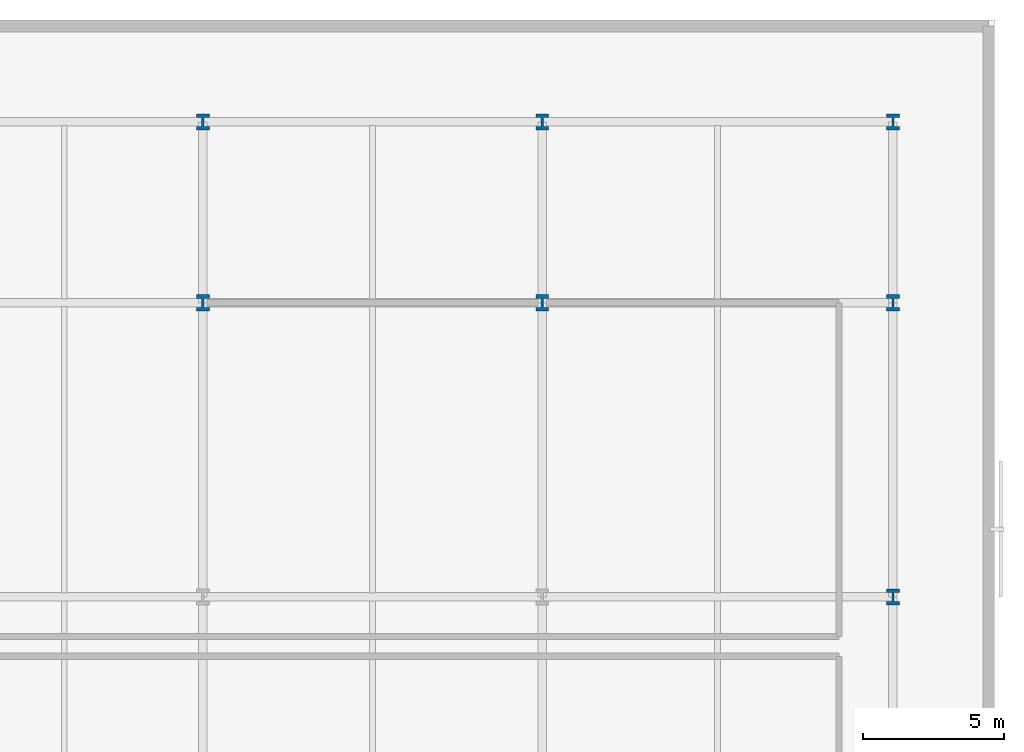
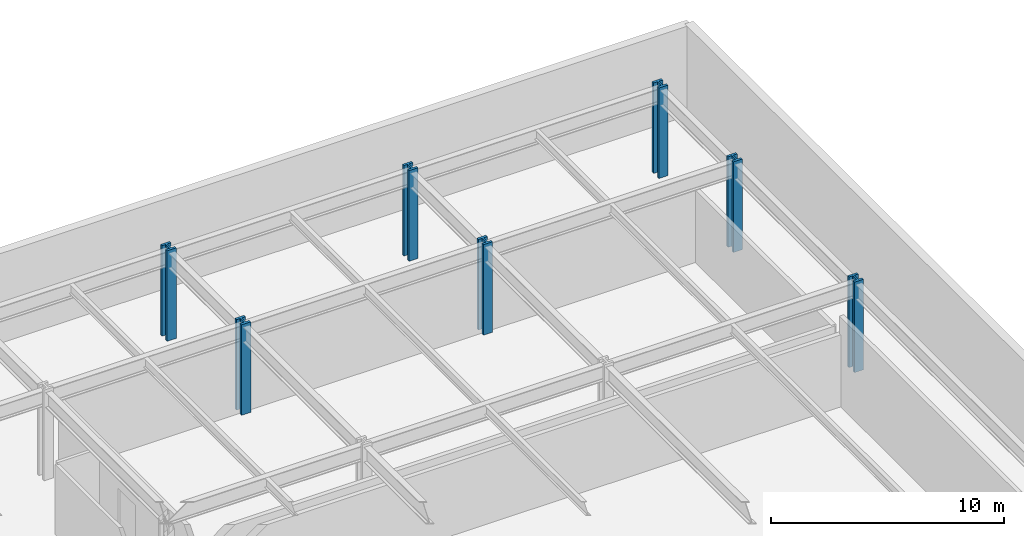
# One storey, part 4 of 40: 7 columns.
"""IFC4 building model written with IfcOpenShell, lengths in metres."""

import ifcopenshell
import ifcopenshell.guid

model = None  # the IFC model being written
_history = None  # IfcOwnerHistory: only IFC2X3 demands one
_inside = {}  # id of a spatial element -> (the spatial element, [elements in it])
_under = {}  # id of a project, library or spatial element -> (it, [spatial elements below it])
_declared = {}  # id of a project -> (the project, [libraries it declares])
_typed = {}  # id of a type object -> (the type object, [elements of that type])
_made_of = {}  # id of a material, layer set ... -> (it, [elements and type objects made of it])


def new_model(schema):
    """Start an empty IFC model of exactly this schema.

    Asked for "IFC4X3", IfcOpenShell would pick the latest addendum, in which some entities
    have other attributes; the version numbers below select the first issue.
    IFC2X3 requires an IfcOwnerHistory on every rooted entity: one is made here for all.
    """
    global model, _history
    if schema == "IFC4X3":
        model = ifcopenshell.file(schema_version=(4, 3, 0, 0))
    else:
        model = ifcopenshell.file(schema=schema)
    _inside.clear()
    _under.clear()
    _declared.clear()
    _typed.clear()
    _made_of.clear()
    _history = None
    if model.schema == "IFC2X3":
        org = make("IfcOrganization", Name="unknown")
        user = make(
            "IfcPersonAndOrganization",
            ThePerson=make("IfcPerson", FamilyName="unknown"),
            TheOrganization=org,
        )
        app = make(
            "IfcApplication",
            ApplicationDeveloper=org,
            Version="unknown",
            ApplicationFullName="unknown",
            ApplicationIdentifier="unknown",
        )
        _history = make(
            "IfcOwnerHistory",
            OwningUser=user,
            OwningApplication=app,
            ChangeAction="ADDED",
            CreationDate=0,
        )
    return model


def make(cls, **values):
    """One entity of the class cls with the attributes given. An attribute that is None is left unset."""
    return model.create_entity(
        cls, **{name: value for name, value in values.items() if value is not None}
    )


def rooted(cls, **values):
    """An entity with a GlobalId (a new one), such as an element, a storey or a relation."""
    return make(cls, GlobalId=ifcopenshell.guid.new(), OwnerHistory=_history, **values)


def si_unit(unit_type, name, prefix=None):
    """IfcSIUnit, for example si_unit("LENGTHUNIT", "METRE", prefix="MILLI")."""
    return make("IfcSIUnit", UnitType=unit_type, Prefix=prefix, Name=name)


def assignment(units):
    """IfcUnitAssignment: the units of a project."""
    return None if units is None else make("IfcUnitAssignment", Units=units)


def point(xyz):
    """IfcCartesianPoint."""
    return None if xyz is None else make("IfcCartesianPoint", Coordinates=xyz)


def direction(xyz):
    """IfcDirection."""
    return None if xyz is None else make("IfcDirection", DirectionRatios=xyz)


def frame(location, z_axis=None, x_axis=None):
    """IfcAxis2Placement3D, a coordinate frame: its origin and axes. An axis left out is left unset."""
    return make(
        "IfcAxis2Placement3D",
        Location=point(location),
        Axis=direction(z_axis),
        RefDirection=direction(x_axis),
    )


def frame_2d(location, x_axis=None):
    """IfcAxis2Placement2D, a coordinate frame in the plane: its origin and x axis."""
    return make(
        "IfcAxis2Placement2D", Location=point(location), RefDirection=direction(x_axis)
    )


def origin():
    """The frame at (0, 0, 0) with its axes left unset."""
    return frame((0.0, 0.0, 0.0))


def origin_2d():
    """The frame at (0, 0) in the plane with its x axis left unset."""
    return frame_2d((0.0, 0.0))


def place(relative_to, where):
    """IfcLocalPlacement: puts the frame where relative to a parent placement (None: the world)."""
    return make(
        "IfcLocalPlacement", PlacementRelTo=relative_to, RelativePlacement=where
    )


def context(
    kind, dimensions, precision=None, world=None, true_north=None, identifier=None
):
    """IfcGeometricRepresentationContext, for example the 3D "Model" context."""
    return make(
        "IfcGeometricRepresentationContext",
        ContextIdentifier=identifier,
        ContextType=kind,
        CoordinateSpaceDimension=dimensions,
        Precision=precision,
        WorldCoordinateSystem=world,
        TrueNorth=true_north,
    )


def subcontext(parent, identifier, kind, view, scale=None):
    """IfcGeometricRepresentationSubContext, for example "Body" below "Model"."""
    return make(
        "IfcGeometricRepresentationSubContext",
        ContextIdentifier=identifier,
        ContextType=kind,
        ParentContext=parent,
        TargetScale=scale,
        TargetView=view,
    )


def project(units=None, contexts=None):
    """IfcProject with its units and contexts."""
    return rooted(
        "IfcProject",
        Name="project",
        RepresentationContexts=contexts,
        UnitsInContext=assignment(units),
    )


def spatial(cls, under=None, at=None, **own):
    """A site, building, storey or space (cls), placed at a placement, below another one or the project."""
    s = rooted(cls, ObjectPlacement=at, **own)
    if under is not None:
        _under.setdefault(under.id(), (under, []))[1].append(s)
    return s


def profile(cls, at=None, kind="AREA", **sizes):
    """A parametric profile (cls). Its sizes go by their IFC names, for example OverallWidth=200.0."""
    return make(cls, ProfileType=kind, Position=at, **sizes)


def i_section(**sizes):
    """IfcIShapeProfileDef."""
    return profile("IfcIShapeProfileDef", **sizes)


def extrude(swept, where, along, depth):
    """IfcExtrudedAreaSolid: the profile swept, set in the frame where, extruded along a direction by depth."""
    return make(
        "IfcExtrudedAreaSolid",
        SweptArea=swept,
        Position=where,
        ExtrudedDirection=direction(along),
        Depth=depth,
    )


def shape(context_of_items, identifier, shape_type, items):
    """IfcShapeRepresentation: the items that make up one representation, for example the "Body"."""
    return make(
        "IfcShapeRepresentation",
        ContextOfItems=context_of_items,
        RepresentationIdentifier=identifier,
        RepresentationType=shape_type,
        Items=items,
    )


def material(Name=None, Category=None):
    """IfcMaterial."""
    return make("IfcMaterial", Name=Name, Category=Category)


def material_profile(
    of_material, cross_section, Name=None, Category=None, Priority=None
):
    """IfcMaterialProfile: a cross section and its material."""
    return make(
        "IfcMaterialProfile",
        Name=Name,
        Material=of_material,
        Profile=cross_section,
        Priority=Priority,
        Category=Category,
    )


def profile_set(profiles, Name=None, composite=None):
    """IfcMaterialProfileSet."""
    return make(
        "IfcMaterialProfileSet",
        Name=Name,
        MaterialProfiles=profiles,
        CompositeProfile=composite,
    )


def made_of(thing, what):
    """Note that an element or type object is made of a material, layer set ...; save() writes the relation."""
    if what is not None:
        _made_of.setdefault(what.id(), (what, []))[1].append(thing)
    return thing


def type_object(cls, material=None, **own):
    """A type object (cls), such as IfcWallType, which elements share."""
    return made_of(rooted(cls, **own), material)


def element(
    cls,
    number,
    at=None,
    inside=None,
    cuts=None,
    type_object=None,
    material=None,
    context=None,
    identifier="Body",
    shape_type=None,
    held_by="IfcProductDefinitionShape",
    body=None,
    shapes=None,
    **own,
):
    """One element of the class cls, such as IfcWall. Its Tag is "e" and its number.

    at: its placement. inside: the storey or other place that contains it. cuts: it is an
    opening in that element (IfcRelVoidsElement). A single representation is given by context,
    identifier, shape_type and body (its items); several are given by shapes. held_by: the class
    of the entity that holds the representations. save() writes the other relations.
    """
    e = rooted(cls, Tag="e%d" % number, ObjectPlacement=at, **own)
    if body is not None:
        shapes = [shape(context, identifier, shape_type, body)]
    if shapes is not None:
        e.Representation = make(held_by, Representations=shapes)
    if inside is not None:
        _inside.setdefault(inside.id(), (inside, []))[1].append(e)
    if cuts is not None:
        rooted(
            "IfcRelVoidsElement", RelatingBuildingElement=cuts, RelatedOpeningElement=e
        )
    if type_object is not None:
        _typed.setdefault(type_object.id(), (type_object, []))[1].append(e)
    return made_of(e, material)


def aggregate(whole, parts):
    """IfcRelAggregates: a whole, such as a stair, and the parts it consists of."""
    return rooted("IfcRelAggregates", RelatingObject=whole, RelatedObjects=parts)


def save(model, path):
    """Write the relations noted so far, then the file.

    IfcRelAggregates (storeys below a building ...), IfcRelContainedInSpatialStructure (elements
    in a storey), IfcRelDefinesByType, IfcRelAssociatesMaterial and IfcRelDeclares: one each for
    every whole, place, type object, material and project.
    """
    for whole, parts in _under.values():
        aggregate(whole, parts)
    for where, things in _inside.values():
        rooted(
            "IfcRelContainedInSpatialStructure",
            RelatedElements=things,
            RelatingStructure=where,
        )
    for kind, things in _typed.values():
        rooted("IfcRelDefinesByType", RelatedObjects=things, RelatingType=kind)
    for what, things in _made_of.values():
        rooted("IfcRelAssociatesMaterial", RelatedObjects=things, RelatingMaterial=what)
    for by, libraries in _declared.values():
        rooted("IfcRelDeclares", RelatingContext=by, RelatedDefinitions=libraries)
    model.write(path)


model = new_model("IFC4")

# Units and contexts
model_context = context("Model", 3, precision=1e-05, world=origin(), true_north=direction((0.0, 1.0)))
body_context = subcontext(model_context, "Body", "Model", "MODEL_VIEW")
ifc_project = project(units=[si_unit("LENGTHUNIT", "METRE"), si_unit("AREAUNIT", "SQUARE_METRE"), si_unit("VOLUMEUNIT", "CUBIC_METRE"), si_unit("PLANEANGLEUNIT", "RADIAN"), si_unit("MASSUNIT", "GRAM", prefix="KILO")], contexts=[model_context])

# Site, building, storey
site_placement = place(None, origin())
site = spatial("IfcSite", under=ifc_project, at=site_placement, CompositionType="ELEMENT")
building_placement = place(site_placement, origin())
building = spatial("IfcBuilding", under=site, at=building_placement, Name="Narakoshi Arena Tower", CompositionType="ELEMENT")
storey_placement = place(building_placement, frame((0.0, 0.0, 21.60009765625)))
storey = spatial("IfcBuildingStorey", under=building, at=storey_placement, Name="L05", CompositionType="ELEMENT", Elevation=21.60009765625)

# Columns
ifc_material = material(Name="Structural steel S355J2", Category="steel")
ifc_material_profile = material_profile(ifc_material, i_section(OverallWidth=0.4541015625, OverallDepth=0.569091796875, WebThickness=0.077880859375, FlangeThickness=0.125, FilletRadius=0.014892578125, at=origin_2d()), Name="HD400x1086")
ifc_profile_set = profile_set([ifc_material_profile], Name="Structural steel S355J2")
column_type = type_object("IfcColumnType", Name="COL-STL1086", PredefinedType="COLUMN", material=ifc_profile_set)
for number, where, z_axis, x_axis, name in (
    (1, (98.0, 86.0, 0.0), (0.0, 0.0, 1.0), (1.0, 0.0, 0.0), "L05 Podium Column PC58"),
    (2, (98.0, 92.39990234375, 0.0), (0.0, 0.0, 1.0), (1.0, 0.0, 0.0), "L05 Podium Column PC59"),
    (3, (110.0, 86.0, 0.0), (0.0, 0.0, 1.0), (1.0, 0.0, 0.0), "L05 Podium Column PC67"),
    (4, (110.0, 92.39990234375, 0.0), (0.0, 0.0, 1.0), (1.0, 0.0, 0.0), "L05 Podium Column PC68"),
    (5, (122.39990234375, 75.60009765625, 0.0), (0.0, 0.0, 1.0), (1.0, 0.0, 0.0), "L05 Podium Column PC75"),
    (6, (122.39990234375, 86.0, 0.0), (0.0, 0.0, 1.0), (1.0, 0.0, 0.0), "L05 Podium Column PC76"),
    (7, (122.39990234375, 92.39990234375, 0.0), (0.0, 0.0, 1.0), (1.0, 0.0, 0.0), "L05 Podium Column PC77"),
):
    element("IfcColumn", number, at=place(storey_placement, frame(where, z_axis=z_axis, x_axis=x_axis)), inside=storey, type_object=column_type, Name=name, PredefinedType="COLUMN", context=body_context, shape_type="SweptSolid", body=[
        extrude(i_section(OverallWidth=0.4541015625, OverallDepth=0.569091796875, WebThickness=0.077880859375, FlangeThickness=0.125, FilletRadius=0.014892578125, at=origin_2d()), origin(), (0.0, 0.0, 1.0), 4.75),
    ])

save(model, "model.ifc")
